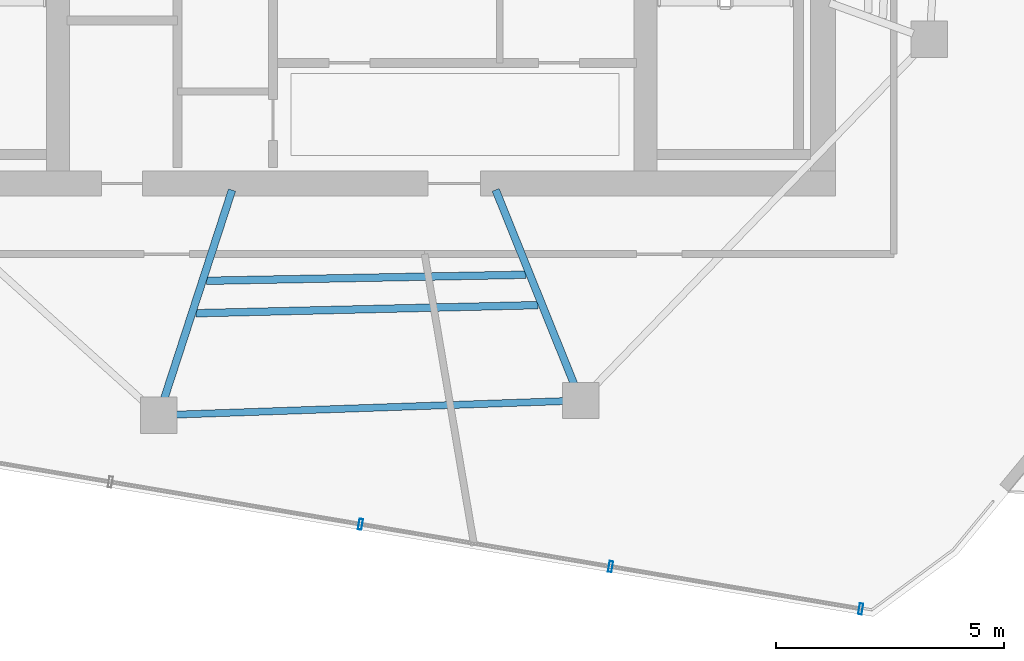
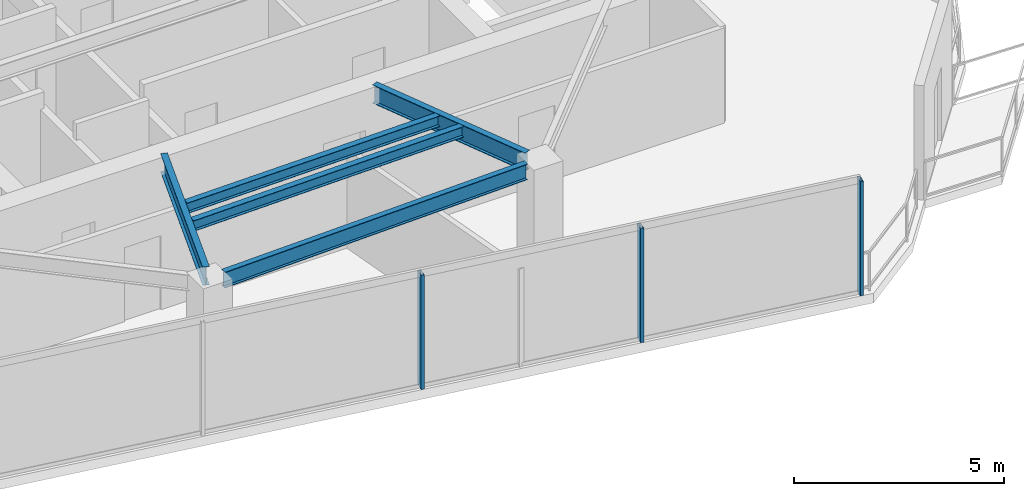
# One storey, part 4 of 19: 5 beams, 3 members, 1 element without a shape of its own.
"""IFC4 building model written with IfcOpenShell, lengths in metres."""

from ifc_helpers import new_model, si_unit, direction, frame, origin, origin_2d, place, context, subcontext, project, spatial, hollow_rectangle, i_section, extrude, material, layer, layer_set, material_profile, profile_set, type_object, element, aggregate, save


model = new_model("IFC4")

# Units and contexts
model_context = context("Model", 3, precision=1e-05, world=origin(), true_north=direction((0.0, 1.0)))
body_context = subcontext(model_context, "Body", "Model", "MODEL_VIEW")
ifc_project = project(units=[si_unit("LENGTHUNIT", "METRE"), si_unit("AREAUNIT", "SQUARE_METRE"), si_unit("VOLUMEUNIT", "CUBIC_METRE"), si_unit("PLANEANGLEUNIT", "RADIAN"), si_unit("MASSUNIT", "GRAM", prefix="KILO")], contexts=[model_context])

# Site, building, storey
site_placement = place(None, origin())
site = spatial("IfcSite", under=ifc_project, at=site_placement, CompositionType="ELEMENT")
building_placement = place(site_placement, origin())
building = spatial("IfcBuilding", under=site, at=building_placement, Name="Qarnah Convention Tower", CompositionType="ELEMENT")
storey_placement = place(building_placement, frame((0.0, 0.0, 257.10009765625)))
storey = spatial("IfcBuildingStorey", under=building, at=storey_placement, Name="L69", CompositionType="ELEMENT", Elevation=257.10009765625)

# Beams
ifc_material_1 = material(Name="Structural steel S355JR", Category="steel")
ifc_material_profile_1 = material_profile(ifc_material_1, i_section(OverallWidth=0.166015625, OverallDepth=0.31201171875, WebThickness=0.007080078125, FlangeThickness=0.010986328125, at=origin_2d()), Name="W310X45")
ifc_profile_set_1 = profile_set([ifc_material_profile_1], Name="Structural steel S355JR")
beam_type_1 = type_object("IfcBeamType", Name="BM-JST-W310", PredefinedType="JOIST", material=ifc_profile_set_1)
beam_1_placement = place(storey_placement, frame((33.830078125, 15.7529296875, 3.163818359375), z_axis=(0.999719227752, 0.023695266672, 0.0), x_axis=(-0.023695266672, 0.999719227752, 0.0)))
element("IfcBeam", 1, at=beam_1_placement, inside=storey, type_object=beam_type_1, Name="L69 joist BM-L69-SJST-07", PredefinedType="JOIST", context=body_context, shape_type="SweptSolid", body=[
    extrude(i_section(OverallWidth=0.166015625, OverallDepth=0.31201171875, WebThickness=0.007080078125, FlangeThickness=0.010986328125, at=origin_2d()), origin(), (0.0, 0.0, 1.0), 7.51123046875),
])
beam_2_placement = place(storey_placement, frame((34.06201171875, 16.465087890625, 3.163818359375), z_axis=(0.999820470535, 0.01894799986, 0.0), x_axis=(-0.01894799986, 0.999820470535, 0.0)))
element("IfcBeam", 2, at=beam_2_placement, inside=storey, type_object=beam_type_1, Name="L69 joist BM-L69-IJST-07", PredefinedType="JOIST", context=body_context, shape_type="SweptSolid", body=[
    extrude(i_section(OverallWidth=0.166015625, OverallDepth=0.31201171875, WebThickness=0.007080078125, FlangeThickness=0.010986328125, at=origin_2d()), origin(), (0.0, 0.0, 1.0), 7.00927734375),
])
ifc_material_profile_2 = material_profile(ifc_material_1, i_section(OverallWidth=0.166015625, OverallDepth=0.535888671875, WebThickness=0.010009765625, FlangeThickness=0.01708984375, at=origin_2d()), Name="W530X85")
ifc_profile_set_2 = profile_set([ifc_material_profile_2], Name="Structural steel S355JR")
beam_type_2 = type_object("IfcBeamType", Name="BM-RAD-W530B", PredefinedType="BEAM", material=ifc_profile_set_2)
beam_3_placement = place(storey_placement, frame((34.6201171875, 18.45703125, 3.052001953125), z_axis=(-0.309228111383, -0.950987894313, 0.0), x_axis=(0.950987894313, -0.309228111383, 0.0)))
element("IfcBeam", 3, at=beam_3_placement, inside=storey, type_object=beam_type_2, Name="L69 beam BM-L69-RAD-07", PredefinedType="BEAM", context=body_context, shape_type="SweptSolid", body=[
    extrude(i_section(OverallWidth=0.166015625, OverallDepth=0.535888671875, WebThickness=0.010009765625, FlangeThickness=0.01708984375, at=origin_2d()), origin(), (0.0, 0.0, 1.0), 4.819091796875),
])
beam_4_placement = place(storey_placement, frame((40.407958984375, 18.4609375, 3.052001953125), z_axis=(0.374622495532, -0.927177429536, 0.0), x_axis=(0.927177429536, 0.374622495532, 0.0)))
element("IfcBeam", 4, at=beam_4_placement, inside=storey, type_object=beam_type_2, Name="L69 beam BM-L69-RAD-08", PredefinedType="BEAM", context=body_context, shape_type="SweptSolid", body=[
    extrude(i_section(OverallWidth=0.166015625, OverallDepth=0.535888671875, WebThickness=0.010009765625, FlangeThickness=0.01708984375, at=origin_2d()), origin(), (0.0, 0.0, 1.0), 4.607421875),
])
ifc_material_profile_3 = material_profile(ifc_material_1, i_section(OverallWidth=0.154052734375, OverallDepth=0.4599609375, WebThickness=0.009033203125, FlangeThickness=0.014892578125, at=origin_2d()), Name="W460X68")
ifc_profile_set_3 = profile_set([ifc_material_profile_3], Name="Structural steel S355JR")
beam_type_3 = type_object("IfcBeamType", Name="BM-SPN-W460B", PredefinedType="SPANDREL", material=ifc_profile_set_3)
beam_5_placement = place(storey_placement, frame((33.403076171875, 13.527099609375, 3.08984375), z_axis=(0.999392187652, 0.034860511467, 0.0), x_axis=(-0.034860511467, 0.999392187652, 0.0)))
element("IfcBeam", 5, at=beam_5_placement, inside=storey, type_object=beam_type_3, Name="L69 spandrel BM-L69-SPN-07", PredefinedType="SPANDREL", context=body_context, shape_type="SweptSolid", body=[
    extrude(i_section(OverallWidth=0.154052734375, OverallDepth=0.4599609375, WebThickness=0.009033203125, FlangeThickness=0.014892578125, at=origin_2d()), origin(), (0.0, 0.0, 1.0), 8.488037109375),
])

# Curtain wall, members
ifc_material_2 = material(Name="Tempered Low-E dark glass", Category="glass")
ifc_layer = layer(ifc_material_2, 0.176025390625)
ifc_layer_set = layer_set([ifc_layer], Name="Tempered Low-E dark glass")
curtain_wall_type = type_object("IfcCurtainWallType", Name="CWS-05", PredefinedType="NOTDEFINED", material=ifc_layer_set)
curtain_wall_placement = place(storey_placement, origin())
curtain_wall = element("IfcCurtainWall", 6, at=curtain_wall_placement, inside=storey, type_object=curtain_wall_type, Name="L69 unitised curtain wall CW-L69-F1", PredefinedType="NOTDEFINED")
ifc_material_3 = material(Name="Black anodised aluminium", Category="aluminium")
ifc_material_profile_4 = material_profile(ifc_material_3, hollow_rectangle(XDim=0.080078125, YDim=0.239990234375, WallThickness=0.0048828125, at=origin_2d()), Name="MUL-80X240")
ifc_profile_set_4 = profile_set([ifc_material_profile_4], Name="Black anodised aluminium")
member_type = type_object("IfcMemberType", Name="MUL-T5", PredefinedType="MULLION", material=ifc_profile_set_4)
member_1_placement = place(storey_placement, frame((48.424072265625, 9.260986328125, 0.0), z_axis=(0.0, 0.0, 1.0), x_axis=(-0.985993152455, 0.166785800689, 0.0)))
member_1 = element("IfcMember", 7, at=member_1_placement, type_object=member_type, Name="CW-L69-F1 mullion 1", PredefinedType="MULLION", context=body_context, shape_type="SweptSolid", body=[
    extrude(hollow_rectangle(XDim=0.080078125, YDim=0.239990234375, WallThickness=0.0048828125, at=origin_2d()), origin(), (0.0, 0.0, 1.0), 3.31982421875),
])
member_2_placement = place(storey_placement, frame((42.931884765625, 10.18994140625, 0.0), z_axis=(0.0, 0.0, 1.0), x_axis=(-0.985993152455, 0.166785800689, 0.0)))
member_2 = element("IfcMember", 8, at=member_2_placement, type_object=member_type, Name="CW-L69-F1 mullion 2", PredefinedType="MULLION", context=body_context, shape_type="SweptSolid", body=[
    extrude(hollow_rectangle(XDim=0.080078125, YDim=0.239990234375, WallThickness=0.0048828125, at=origin_2d()), origin(), (0.0, 0.0, 1.0), 3.31982421875),
])
member_3_placement = place(storey_placement, frame((37.43994140625, 11.118896484375, 0.0), z_axis=(0.0, 0.0, 1.0), x_axis=(-0.985993152455, 0.166785800689, 0.0)))
member_3 = element("IfcMember", 9, at=member_3_placement, type_object=member_type, Name="CW-L69-F1 mullion 3", PredefinedType="MULLION", context=body_context, shape_type="SweptSolid", body=[
    extrude(hollow_rectangle(XDim=0.080078125, YDim=0.239990234375, WallThickness=0.0048828125, at=origin_2d()), origin(), (0.0, 0.0, 1.0), 3.31982421875),
])
aggregate(curtain_wall, [member_1, member_2, member_3])

save(model, "model.ifc")
